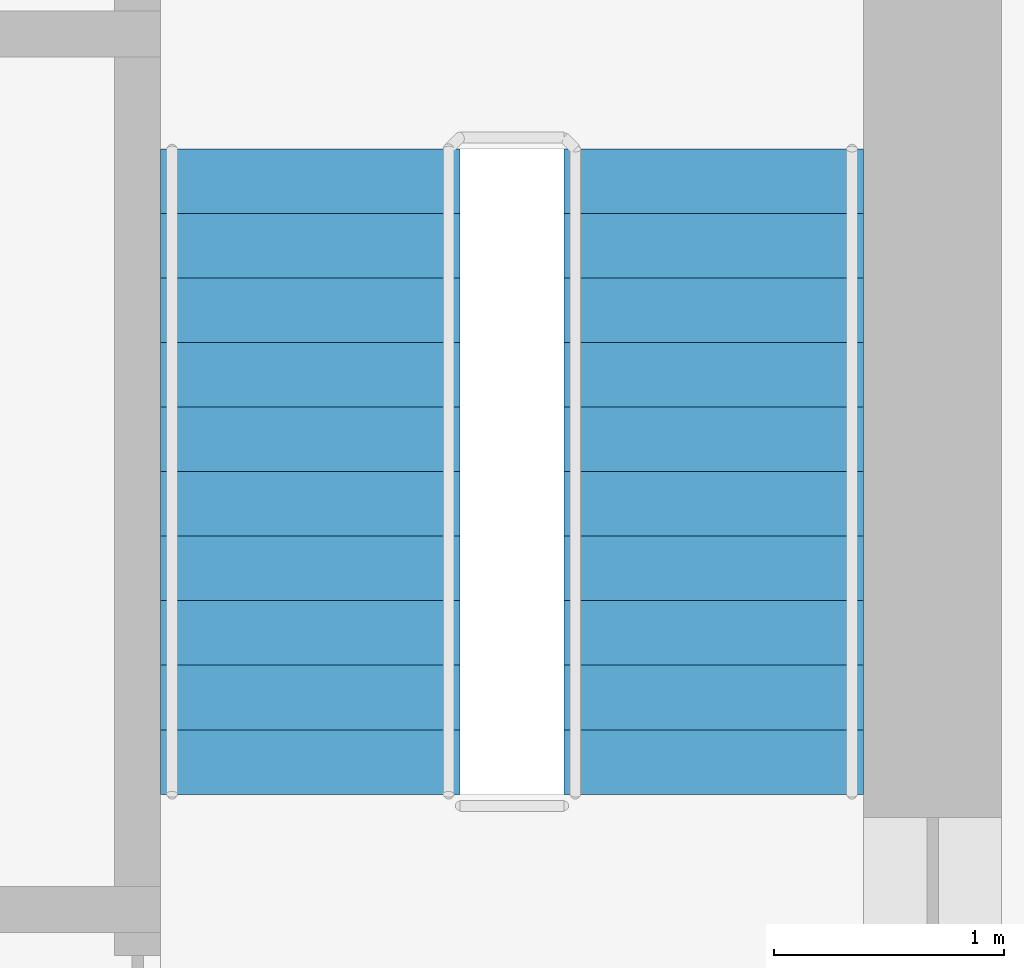
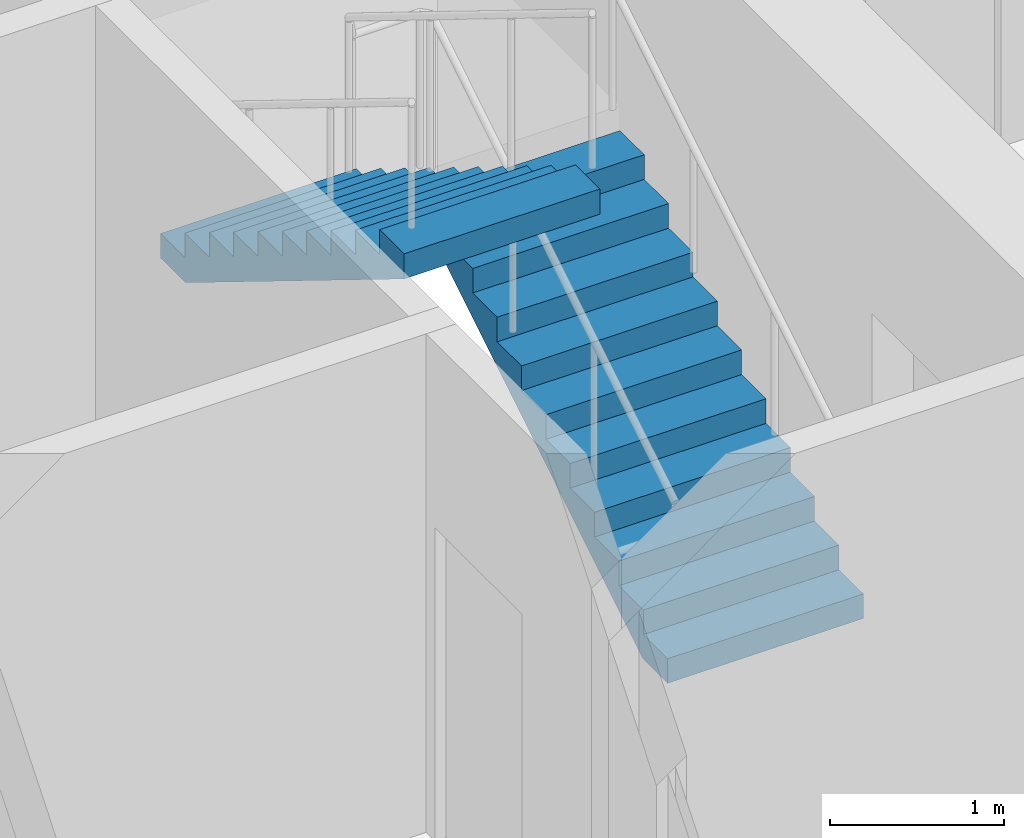
# One storey, part 8 of 12: 2 stair flights, 1 element without a shape of its own.
"""IFC4 building model written with IfcOpenShell, lengths in metres."""

from ifc_helpers import new_model, si_unit, direction, frame, origin, place, context, subcontext, project, spatial, polyline, outline, extrude, material, type_object, element, aggregate, save


model = new_model("IFC4")

# Units and contexts
model_context = context("Model", 3, precision=1e-05, world=origin(), true_north=direction((0.0, 1.0)))
body_context = subcontext(model_context, "Body", "Model", "MODEL_VIEW")
ifc_project = project(units=[si_unit("LENGTHUNIT", "METRE"), si_unit("AREAUNIT", "SQUARE_METRE"), si_unit("VOLUMEUNIT", "CUBIC_METRE"), si_unit("PLANEANGLEUNIT", "RADIAN"), si_unit("MASSUNIT", "GRAM", prefix="KILO")], contexts=[model_context])

# Site, building, storey
site_placement = place(None, origin())
site = spatial("IfcSite", under=ifc_project, at=site_placement, CompositionType="ELEMENT")
building_placement = place(site_placement, origin())
building = spatial("IfcBuilding", under=site, at=building_placement, Name="Orbiselva Terraces", CompositionType="ELEMENT")
storey_placement = place(building_placement, frame((0.0, 0.0, 211.0)))
storey = spatial("IfcBuildingStorey", under=building, at=storey_placement, Name="L53", CompositionType="ELEMENT", Elevation=211.0)

# Stair, stair flights
ifc_material = material(Name="Concrete C40/50", Category="concrete")
stair_type = type_object("IfcStairType", Name="CORE-STAIR-1300", PredefinedType="HALF_TURN_STAIR", material=ifc_material)
stair_placement = place(storey_placement, origin())
stair = element("IfcStair", 1, at=stair_placement, inside=storey, type_object=stair_type, Name="L53 Exit Stair S2", PredefinedType="HALF_TURN_STAIR")
stair_flight_type = type_object("IfcStairFlightType", Name="CORE-STAIR-FLIGHT-1300", PredefinedType="STRAIGHT", material=ifc_material)
stair_flight_1_placement = place(storey_placement, frame((12.25, 12.7, 0.0), z_axis=(0.0, 0.0, 1.0), x_axis=(0.0, 1.0, 0.0)))
stair_flight_1 = element("IfcStairFlight", 2, at=stair_flight_1_placement, type_object=stair_flight_type, Name="S2 flight 1", NumberOfRisers=11, NumberOfTreads=10, PredefinedType="STRAIGHT", RiserHeight=0.172727273, TreadLength=0.28, context=body_context, shape_type="SweptSolid", body=[
    extrude(outline(polyline([(0.0, 0.0), (0.0, 0.172727), (0.28, 0.172727), (0.28, 0.345455), (0.56, 0.345455), (0.56, 0.518182), (0.84, 0.518182), (0.84, 0.690909), (1.12, 0.690909), (1.12, 0.863636), (1.4, 0.863636), (1.4, 1.036364), (1.68, 1.036364), (1.68, 1.209091), (1.96, 1.209091), (1.96, 1.381818), (2.24, 1.381818), (2.24, 1.554545), (2.52, 1.554545), (2.52, 1.727273), (2.8, 1.727273), (2.8, 1.9), (2.8, 1.551028), (0.285702, 0.0), (0.0, 0.0)])), frame((0.0, 0.65, 0.0), z_axis=(0.0, -1.0, 0.0), x_axis=(1.0, 0.0, 0.0)), (0.0, 0.0, 1.0), 1.3),
])
stair_flight_2_placement = place(storey_placement, frame((10.5, 15.5, 1.9), z_axis=(0.0, 0.0, 1.0), x_axis=(0.0, -1.0, 0.0)))
stair_flight_2 = element("IfcStairFlight", 3, at=stair_flight_2_placement, type_object=stair_flight_type, Name="S2 flight 2", NumberOfRisers=11, NumberOfTreads=10, PredefinedType="STRAIGHT", RiserHeight=0.172727273, TreadLength=0.28, context=body_context, shape_type="SweptSolid", body=[
    extrude(outline(polyline([(0.0, 0.0), (0.0, 0.172727), (0.28, 0.172727), (0.28, 0.345455), (0.56, 0.345455), (0.56, 0.518182), (0.84, 0.518182), (0.84, 0.690909), (1.12, 0.690909), (1.12, 0.863636), (1.4, 0.863636), (1.4, 1.036364), (1.68, 1.036364), (1.68, 1.209091), (1.96, 1.209091), (1.96, 1.381818), (2.24, 1.381818), (2.24, 1.554545), (2.52, 1.554545), (2.52, 1.727273), (2.8, 1.727273), (2.8, 1.9), (2.8, 1.551028), (0.285702, 0.0), (0.0, 0.0)])), frame((0.0, 0.65, 0.0), z_axis=(0.0, -1.0, 0.0), x_axis=(1.0, 0.0, 0.0)), (0.0, 0.0, 1.0), 1.3),
])
aggregate(stair, [stair_flight_1, stair_flight_2])

save(model, "model.ifc")
